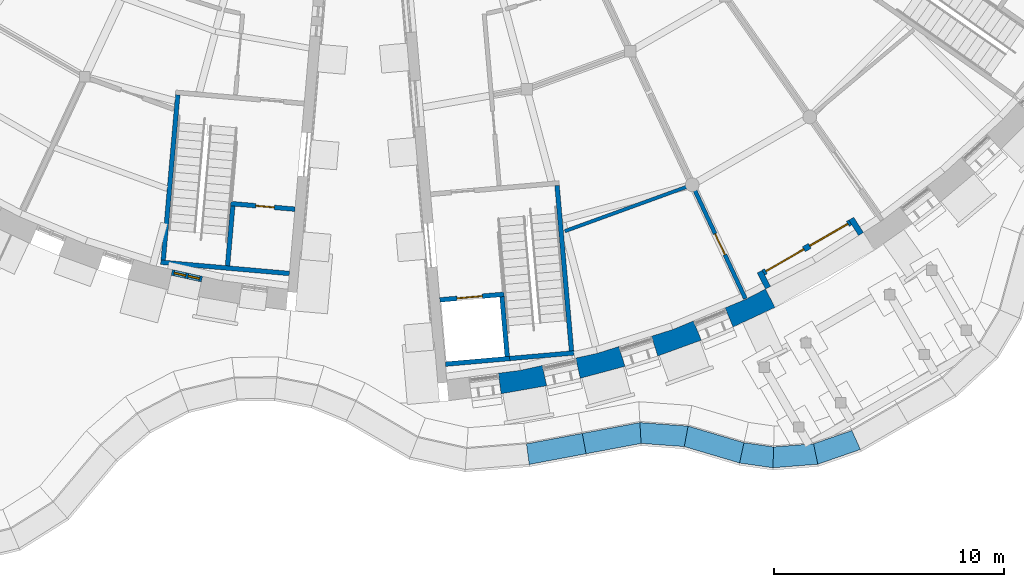
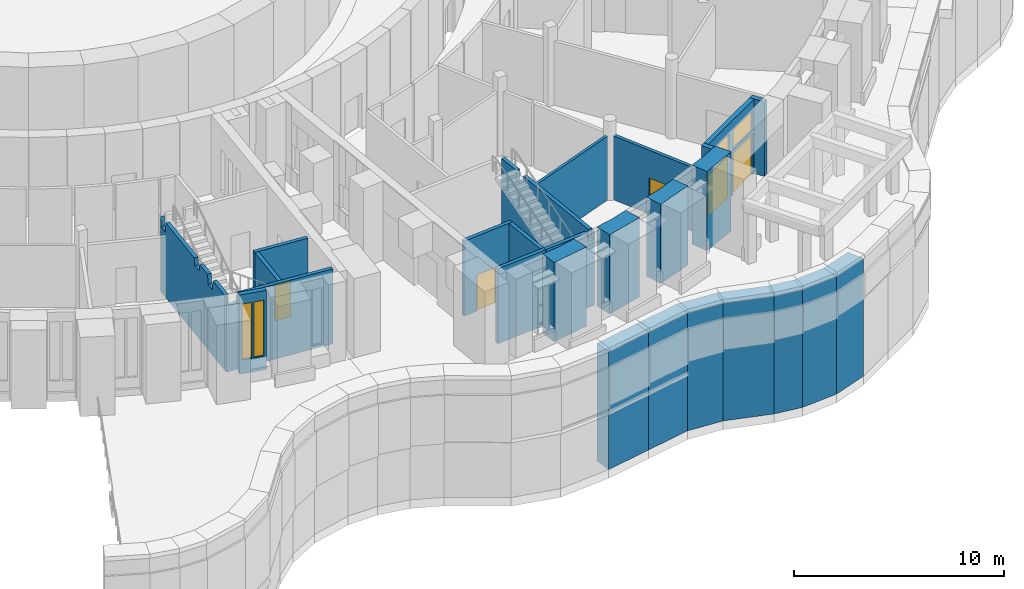
# One storey, part 47 of 85: 26 walls, 5 doors, 4 windows, 9 openings.
"""IFC4 building model written with IfcOpenShell, lengths in metres."""

from ifc_helpers import new_model, si_unit, direction, frame, frame_2d, origin, place, context, subcontext, project, spatial, polyline, rectangle, outline, extrude, material, layer, layer_set, type_object, element, fill, save


model = new_model("IFC4")

# Units and contexts
model_context = context("Model", 3, precision=1e-05, world=origin(), true_north=direction((0.0, 1.0)))
body_context = subcontext(model_context, "Body", "Model", "MODEL_VIEW")
ifc_project = project(units=[si_unit("LENGTHUNIT", "METRE"), si_unit("AREAUNIT", "SQUARE_METRE"), si_unit("VOLUMEUNIT", "CUBIC_METRE"), si_unit("PLANEANGLEUNIT", "RADIAN"), si_unit("MASSUNIT", "GRAM", prefix="KILO")], contexts=[model_context])

# Site, building, storey
site_placement = place(None, origin())
site = spatial("IfcSite", under=ifc_project, at=site_placement, CompositionType="ELEMENT")
building_placement = place(site_placement, origin())
building = spatial("IfcBuilding", under=site, at=building_placement, Name="Volute Hill Aquarium", CompositionType="ELEMENT")
storey_placement = place(building_placement, origin())
storey = spatial("IfcBuildingStorey", under=building, at=storey_placement, Name="L01", CompositionType="ELEMENT", Elevation=0.0)

# Walls
ifc_material_1 = material(Name="Gypsum board on steel studs", Category="steel")
ifc_layer_1 = layer(ifc_material_1, 0.14990234375)
ifc_layer_set_1 = layer_set([ifc_layer_1], Name="Acoustic partition 150")
wall_type_1 = type_object("IfcWallType", Name="Acoustic partition 150", PredefinedType="PARTITIONING", material=ifc_layer_set_1)
wall_1_placement = place(storey_placement, frame((14.045166015625, -30.68505859375, 0.0), z_axis=(0.0, 0.0, 1.0), x_axis=(-0.939689857066, -0.342027736489, 0.0)))
element("IfcWall", 1, at=wall_1_placement, inside=storey, type_object=wall_type_1, Name="pw/S3/L01/004", PredefinedType="PARTITIONING", context=body_context, shape_type="SweptSolid", body=[
    extrude(rectangle(XDim=5.646240234375, YDim=0.14990234375, at=frame_2d((2.8232421875, 0.0))), origin(), (0.0, 0.0, 1.0), 3.7099609375),
])
ifc_material_2 = material(Name="Concrete C30/37", Category="concrete")
ifc_layer_2 = layer(ifc_material_2, 0.199951171875)
ifc_layer_set_2 = layer_set([ifc_layer_2], Name="Core wall 200 REI 60")
wall_type_2 = type_object("IfcWallType", Name="Core wall 200 REI 60", PredefinedType="SHEAR", material=ifc_layer_set_2)
wall_2_placement = place(storey_placement, frame((-8.0576171875, -26.69921875, 0.0), z_axis=(0.0, 0.0, 1.0), x_axis=(-0.087178307383, -0.996192723684, 0.0)))
element("IfcWall", 2, at=wall_2_placement, inside=storey, type_object=wall_type_2, Name="wc/S2-B/L01/side", PredefinedType="SHEAR", context=body_context, shape_type="SweptSolid", body=[
    extrude(outline(polyline([(0.0, 0.0), (7.199951171875, 0.0), (7.199951171875, 4.35009765625), (5.893310546875, 4.35009765625), (5.84326171875, 3.7900390625), (5.34326171875, 3.7900390625), (5.293212890625, 4.35009765625), (4.397216796875, 4.35009765625), (4.34716796875, 3.93994140625), (3.84716796875, 3.93994140625), (3.797119140625, 4.35009765625), (0.577392578125, 4.35009765625), (0.52734375, 3.7900390625), (0.050048828125, 3.7900390625), (0.0, 4.35009765625), (0.0, 0.0)])), frame((0.0, 0.10009765625, 0.0), z_axis=(0.0, -1.0, 0.0), x_axis=(1.0, 0.0, 0.0)), (0.0, 0.0, 1.0), 0.199951171875),
])
wall_3_placement = place(storey_placement, frame((-3.21484375, -34.450927734375, 0.0), z_axis=(0.0, 0.0, 1.0), x_axis=(-0.996195137027, 0.087150725554, 0.0)))
element("IfcWall", 3, at=wall_3_placement, inside=storey, type_object=wall_type_2, Name="wc/S2-B/L01/out", PredefinedType="SHEAR", context=body_context, shape_type="SweptSolid", body=[
    extrude(outline(polyline([(0.0, 0.0), (5.599853515625, 0.0), (5.60009765625, 4.35009765625), (5.564697265625, 4.35009765625), (5.5146484375, 3.840087890625), (5.0146484375, 3.840087890625), (4.964599609375, 4.35009765625), (0.0, 4.35009765625), (0.0, 0.0)])), frame((0.0, 0.10009765625, 0.0), z_axis=(0.0, -1.0, 0.0), x_axis=(1.0, 0.0, 0.0)), (0.0, 0.0, 1.0), 0.199951171875),
])
wall_4_placement = place(storey_placement, frame((8.40185546875, -30.63427734375, 0.0), z_axis=(0.0, 0.0, 1.0), x_axis=(0.087144656612, -0.996195667941, 0.0)))
element("IfcWall", 4, at=wall_4_placement, inside=storey, type_object=wall_type_2, Name="wc/S3-A/L01/side", PredefinedType="SHEAR", context=body_context, shape_type="SweptSolid", body=[
    extrude(outline(polyline([(0.0, 0.0), (7.199951171875, 0.0), (7.199951171875, 4.35009765625), (1.7939453125, 4.35009765625), (1.743896484375, 3.780029296875), (1.243896484375, 3.780029296875), (1.194091796875, 4.35009765625), (0.0, 4.35009765625), (0.0, 0.0)])), frame((0.0, 0.10009765625, 0.0), z_axis=(0.0, -1.0, 0.0), x_axis=(1.0, 0.0, 0.0)), (0.0, 0.0, 1.0), 0.199951171875),
])
wall_5_placement = place(storey_placement, frame((6.348388671875, -38.141845703125, 0.0), z_axis=(0.0, 0.0, 1.0), x_axis=(0.996191351034, 0.087193991338, 0.0)))
element("IfcWall", 5, at=wall_5_placement, inside=storey, type_object=wall_type_2, Name="wc/S3-A/L01/out-b", PredefinedType="SHEAR", context=body_context, shape_type="SweptSolid", body=[
    extrude(outline(polyline([(0.0, 0.0), (2.800048828125, 0.0), (2.800048828125, 4.35009765625), (2.75, 3.830078125), (2.44482421875, 3.830078125), (2.39501953125, 4.35009765625), (0.0, 4.35009765625), (0.0, 0.0)])), frame((0.0, 0.10009765625, 0.0), z_axis=(0.0, -1.0, 0.0), x_axis=(1.0, 0.0, 0.0)), (0.0, 0.0, 1.0), 0.199951171875),
])

# Wall, opening, door
ifc_material_3 = material(Name="Gypsum board on steel studs", Category="steel")
ifc_layer_3 = layer(ifc_material_3, 0.175048828125)
ifc_layer_set_3 = layer_set([ifc_layer_3], Name="Corridor partition 175 EI 60")
wall_type_3 = type_object("IfcWallType", Name="Corridor partition 175 EI 60", PredefinedType="PARTITIONING", material=ifc_layer_set_3)
wall_6_placement = place(storey_placement, frame((16.5751953125, -35.54541015625, 0.0), z_axis=(0.0, 0.0, 1.0), x_axis=(-0.422659862642, 0.906288387056, 0.0)))
wall_6 = element("IfcWall", 6, at=wall_6_placement, inside=storey, type_object=wall_type_3, Name="pw/S3/L01/006", PredefinedType="PARTITIONING", context=body_context, shape_type="SweptSolid", body=[
    extrude(rectangle(XDim=5.213623046875, YDim=0.175048828125, at=frame_2d((2.60693359375, 0.0))), origin(), (0.0, 0.0, 1.0), 3.7099609375),
])
opening_1_placement = place(wall_6_placement, frame((2.106689453125, 0.0, 0.0)))
opening_1 = element("IfcOpeningElement", 7, at=opening_1_placement, cuts=wall_6, Name="Opening D3.01.06", PredefinedType="OPENING", context=body_context, shape_type="SweptSolid", body=[
    extrude(rectangle(XDim=1.0, YDim=2.10009765625, at=frame_2d((0.5, 1.050048828125))), frame((0.0, 0.097412109375, 0.0), z_axis=(0.0, -1.0, 0.0), x_axis=(1.0, 0.0, 0.0)), (0.0, 0.0, 1.0), 0.195068359375),
])
ifc_material_4 = material(Name="Timber, fire-rated", Category="wood")
door_type_1 = type_object("IfcDoorType", Name="Door 1000 x 2100 single EI1 30", OperationType="SINGLE_SWING_LEFT", PredefinedType="DOOR", material=ifc_material_4)
door_1_placement = place(opening_1_placement, origin())
door_1 = element("IfcDoor", 8, at=door_1_placement, inside=storey, type_object=door_type_1, Name="d/S3/L01/06", OperationType="SINGLE_SWING_RIGHT", OverallHeight=2.10009765625, OverallWidth=1.0, PredefinedType="DOOR", context=body_context, shape_type="SweptSolid", body=[
    extrude(rectangle(XDim=1.0, YDim=2.10009765625, at=frame_2d((0.5, 1.050048828125))), frame((0.0, 0.02490234375, 0.0), z_axis=(0.0, -1.0, 0.0), x_axis=(1.0, 0.0, 0.0)), (0.0, 0.0, 1.0), 0.050048828125),
])
fill(opening_1, door_1)

# Wall, openings, windows, doors
ifc_material_5 = material(Name="Concrete C30/37", Category="concrete")
ifc_layer_4 = layer(ifc_material_5, 0.25)
ifc_layer_set_4 = layer_set([ifc_layer_4], Name="Glazed entrance wall 250")
wall_type_4 = type_object("IfcWallType", Name="Glazed entrance wall 250", PredefinedType="NOTDEFINED", material=ifc_layer_set_4)
wall_7_placement = place(storey_placement, frame((21.12451171875, -32.23828125, 0.0), z_axis=(0.0, 0.0, 1.0), x_axis=(-0.866017369001, -0.500013916395, 0.0)))
wall_7 = element("IfcWall", 9, at=wall_7_placement, inside=storey, type_object=wall_type_4, Name="Glazed entrance wall OWN S3 L01", PredefinedType="NOTDEFINED", context=body_context, shape_type="SweptSolid", body=[
    extrude(rectangle(XDim=4.3505859375, YDim=0.25, at=frame_2d((2.17529296875, 0.0))), origin(), (0.0, 0.0, 1.0), 4.330078125),
])
opening_2_placement = place(wall_7_placement, frame((2.3251953125, 0.0, 0.0)))
opening_2 = element("IfcOpeningElement", 10, at=opening_2_placement, cuts=wall_7, Name="Opening ED03", PredefinedType="OPENING", context=body_context, shape_type="SweptSolid", body=[
    extrude(rectangle(XDim=1.89990234375, YDim=2.39990234375, at=frame_2d((0.949951171875, 1.199951171875))), frame((0.0, 0.135009765625, 0.0), z_axis=(0.0, -1.0, 0.0), x_axis=(1.0, 0.0, 0.0)), (0.0, 0.0, 1.0), 0.27001953125),
])
opening_3_placement = place(wall_7_placement, frame((2.3251953125, 0.0, 2.60009765625)))
opening_3 = element("IfcOpeningElement", 11, at=opening_3_placement, cuts=wall_7, Name="Opening W6", PredefinedType="OPENING", context=body_context, shape_type="SweptSolid", body=[
    extrude(rectangle(XDim=1.89990234375, YDim=1.1298828125, at=frame_2d((0.949951171875, 0.56494140625))), frame((0.0, 0.135009765625, 0.0), z_axis=(0.0, -1.0, 0.0), x_axis=(1.0, 0.0, 0.0)), (0.0, 0.0, 1.0), 0.27001953125),
])
opening_4_placement = place(wall_7_placement, frame((0.125244140625, 0.0, 0.0)))
opening_4 = element("IfcOpeningElement", 12, at=opening_4_placement, cuts=wall_7, Name="Opening ED04", PredefinedType="OPENING", context=body_context, shape_type="SweptSolid", body=[
    extrude(rectangle(XDim=1.89990234375, YDim=2.39990234375, at=frame_2d((0.949951171875, 1.199951171875))), frame((0.0, 0.135009765625, 0.0), z_axis=(0.0, -1.0, 0.0), x_axis=(1.0, 0.0, 0.0)), (0.0, 0.0, 1.0), 0.27001953125),
])
opening_5_placement = place(wall_7_placement, frame((0.125244140625, 0.0, 2.60009765625)))
opening_5 = element("IfcOpeningElement", 13, at=opening_5_placement, cuts=wall_7, Name="Opening W6", PredefinedType="OPENING", context=body_context, shape_type="SweptSolid", body=[
    extrude(rectangle(XDim=1.89990234375, YDim=1.1298828125, at=frame_2d((0.949951171875, 0.56494140625))), frame((0.0, 0.135009765625, 0.0), z_axis=(0.0, -1.0, 0.0), x_axis=(1.0, 0.0, 0.0)), (0.0, 0.0, 1.0), 0.27001953125),
])
ifc_material_6 = material(Name="Aluminium and glass", Category="aluminium")
window_type_1 = type_object("IfcWindowType", Name="Fanlight window 1900x1130", PartitioningType="SINGLE_PANEL", PredefinedType="WINDOW", material=ifc_material_6)
window_1_placement = place(opening_3_placement, origin())
window_1 = element("IfcWindow", 14, at=window_1_placement, inside=storey, type_object=window_type_1, Name="Fanlight S3 L01 1", OverallHeight=1.1298828125, OverallWidth=1.89990234375, PartitioningType="SINGLE_PANEL", PredefinedType="WINDOW", context=body_context, shape_type="SweptSolid", body=[
    extrude(rectangle(XDim=1.89990234375, YDim=1.1298828125, at=frame_2d((0.949951171875, 0.56494140625))), frame((0.0, 0.030029296875, 0.0), z_axis=(0.0, -1.0, 0.0), x_axis=(1.0, 0.0, 0.0)), (0.0, 0.0, 1.0), 0.06005859375),
])
fill(opening_3, window_1)
window_2_placement = place(opening_5_placement, origin())
window_2 = element("IfcWindow", 15, at=window_2_placement, inside=storey, type_object=window_type_1, Name="Fanlight S3 L01 2", OverallHeight=1.1298828125, OverallWidth=1.89990234375, PartitioningType="SINGLE_PANEL", PredefinedType="WINDOW", context=body_context, shape_type="SweptSolid", body=[
    extrude(rectangle(XDim=1.89990234375, YDim=1.1298828125, at=frame_2d((0.949951171875, 0.56494140625))), frame((0.0, 0.030029296875, 0.0), z_axis=(0.0, -1.0, 0.0), x_axis=(1.0, 0.0, 0.0)), (0.0, 0.0, 1.0), 0.06005859375),
])
fill(opening_5, window_2)
ifc_material_7 = material(Name="Aluminium and glass", Category="aluminium")
door_type_2 = type_object("IfcDoorType", Name="Glazed entrance double door 1900x2400", OperationType="DOUBLE_DOOR_SINGLE_SWING", PredefinedType="DOOR", material=ifc_material_7)
door_2_placement = place(opening_2_placement, origin())
door_2 = element("IfcDoor", 16, at=door_2_placement, inside=storey, type_object=door_type_2, Name="External door ED03 S3 L01", OperationType="DOUBLE_DOOR_SINGLE_SWING", OverallHeight=2.39990234375, OverallWidth=1.89990234375, PredefinedType="DOOR", context=body_context, shape_type="SweptSolid", body=[
    extrude(rectangle(XDim=1.89990234375, YDim=2.39990234375, at=frame_2d((0.949951171875, 1.199951171875))), frame((0.0, 0.02490234375, 0.0), z_axis=(0.0, -1.0, 0.0), x_axis=(1.0, 0.0, 0.0)), (0.0, 0.0, 1.0), 0.050048828125),
])
fill(opening_2, door_2)
door_3_placement = place(opening_4_placement, origin())
door_3 = element("IfcDoor", 17, at=door_3_placement, inside=storey, type_object=door_type_2, Name="External door ED04 S3 L01", OperationType="DOUBLE_DOOR_SINGLE_SWING", OverallHeight=2.39990234375, OverallWidth=1.89990234375, PredefinedType="DOOR", context=body_context, shape_type="SweptSolid", body=[
    extrude(rectangle(XDim=1.89990234375, YDim=2.39990234375, at=frame_2d((0.949951171875, 1.199951171875))), frame((0.0, 0.02490234375, 0.0), z_axis=(0.0, -1.0, 0.0), x_axis=(1.0, 0.0, 0.0)), (0.0, 0.0, 1.0), 0.050048828125),
])
fill(opening_4, door_3)

# Wall, openings, windows
ifc_material_8 = material(Name="Concrete C30/37", Category="concrete")
ifc_layer_5 = layer(ifc_material_8, 0.25)
ifc_layer_set_5 = layer_set([ifc_layer_5], Name="Niche back wall full height 250")
wall_type_5 = type_object("IfcWallType", Name="Niche back wall full height 250", PredefinedType="NOTDEFINED", material=ifc_layer_set_5)
wall_8_placement = place(storey_placement, frame((-7.00537109375, -34.697265625, 0.0), z_axis=(0.0, 0.0, 1.0), x_axis=(-0.976294025083, 0.216448554135, 0.0)))
wall_8 = element("IfcWall", 18, at=wall_8_placement, inside=storey, type_object=wall_type_5, Name="Niche back wall OWN S2 L01 9", PredefinedType="NOTDEFINED", context=body_context, shape_type="SweptSolid", body=[
    extrude(rectangle(XDim=1.341064453125, YDim=0.25, at=frame_2d((0.67041015625, 0.0))), origin(), (0.0, 0.0, 1.0), 4.60009765625),
])
opening_6_placement = place(wall_8_placement, frame((0.72900390625, 0.0, 0.800048828125)))
opening_6 = element("IfcOpeningElement", 19, at=opening_6_placement, cuts=wall_8, Name="Opening W5", PredefinedType="OPENING", context=body_context, shape_type="SweptSolid", body=[
    extrude(rectangle(XDim=0.5, YDim=3.25, at=frame_2d((0.25, 1.625))), frame((0.0, 0.135009765625, 0.0), z_axis=(0.0, -1.0, 0.0), x_axis=(1.0, 0.0, 0.0)), (0.0, 0.0, 1.0), 0.27001953125),
])
opening_7_placement = place(wall_8_placement, frame((0.112060546875, 0.0, 0.800048828125)))
opening_7 = element("IfcOpeningElement", 20, at=opening_7_placement, cuts=wall_8, Name="Opening W5", PredefinedType="OPENING", context=body_context, shape_type="SweptSolid", body=[
    extrude(rectangle(XDim=0.5, YDim=3.25, at=frame_2d((0.25, 1.625))), frame((0.0, 0.135009765625, 0.0), z_axis=(0.0, -1.0, 0.0), x_axis=(1.0, 0.0, 0.0)), (0.0, 0.0, 1.0), 0.27001953125),
])
ifc_material_9 = material(Name="Aluminium and glass", Category="aluminium")
window_type_2 = type_object("IfcWindowType", Name="Slit window 500x3250", PartitioningType="SINGLE_PANEL", PredefinedType="WINDOW", material=ifc_material_9)
window_3_placement = place(opening_6_placement, origin())
window_3 = element("IfcWindow", 21, at=window_3_placement, inside=storey, type_object=window_type_2, Name="Slit window S2 L01 9.1.1", OverallHeight=3.25, OverallWidth=0.5, PartitioningType="SINGLE_PANEL", PredefinedType="WINDOW", context=body_context, shape_type="SweptSolid", body=[
    extrude(rectangle(XDim=0.5, YDim=3.25, at=frame_2d((0.25, 1.625))), frame((0.0, 0.030029296875, 0.0), z_axis=(0.0, -1.0, 0.0), x_axis=(1.0, 0.0, 0.0)), (0.0, 0.0, 1.0), 0.06005859375),
])
fill(opening_6, window_3)
window_4_placement = place(opening_7_placement, origin())
window_4 = element("IfcWindow", 22, at=window_4_placement, inside=storey, type_object=window_type_2, Name="Slit window S2 L01 9.1.2", OverallHeight=3.25, OverallWidth=0.5, PartitioningType="SINGLE_PANEL", PredefinedType="WINDOW", context=body_context, shape_type="SweptSolid", body=[
    extrude(rectangle(XDim=0.5, YDim=3.25, at=frame_2d((0.25, 1.625))), frame((0.0, 0.030029296875, 0.0), z_axis=(0.0, -1.0, 0.0), x_axis=(1.0, 0.0, 0.0)), (0.0, 0.0, 1.0), 0.06005859375),
])
fill(opening_7, window_4)

# Walls
ifc_material_10 = material(Name="Precast concrete C40/50", Category="concrete")
ifc_layer_6 = layer(ifc_material_10, 0.89990234375)
ifc_layer_set_6 = layer_set([ifc_layer_6], Name="Outer pier precast concrete C40/50 900")
wall_type_6 = type_object("IfcWallType", Name="Outer pier precast concrete C40/50 900", PredefinedType="NOTDEFINED", material=ifc_layer_set_6)
wall_9_placement = place(storey_placement, origin())
element("IfcWall", 23, at=wall_9_placement, inside=storey, type_object=wall_type_6, Name="Outer pier OWP S3 L01 2", PredefinedType="NOTDEFINED", context=body_context, shape_type="SweptSolid", body=[
    extrude(outline(polyline([(5.8564453125, -38.779541015625), (5.973876953125, -39.671875), (7.954833984375, -39.322509765625), (7.760009765625, -38.44384765625), (6.815673828125, -38.6533203125), (5.8564453125, -38.779541015625)])), origin(), (0.0, 0.0, 1.0), 4.60009765625),
])
wall_10_placement = place(storey_placement, origin())
element("IfcWall", 24, at=wall_10_placement, inside=storey, type_object=wall_type_6, Name="Outer pier OWP S3 L01 3", PredefinedType="NOTDEFINED", context=body_context, shape_type="SweptSolid", body=[
    extrude(outline(polyline([(9.2138671875, -38.12158203125), (9.40869140625, -39.000244140625), (11.351806640625, -38.479736328125), (11.0810546875, -37.621337890625), (10.158447265625, -37.912109375), (9.2138671875, -38.12158203125)])), origin(), (0.0, 0.0, 1.0), 4.60009765625),
])
wall_11_placement = place(storey_placement, origin())
element("IfcWall", 25, at=wall_11_placement, inside=storey, type_object=wall_type_6, Name="Outer pier OWP S3 L01 4", PredefinedType="NOTDEFINED", context=body_context, shape_type="SweptSolid", body=[
    extrude(outline(polyline([(12.50146484375, -37.173583984375), (12.77197265625, -38.03173828125), (14.662353515625, -37.34375), (14.31787109375, -36.51220703125), (13.424072265625, -36.882568359375), (12.50146484375, -37.173583984375)])), origin(), (0.0, 0.0, 1.0), 4.60009765625),
])
wall_12_placement = place(storey_placement, origin())
element("IfcWall", 26, at=wall_12_placement, inside=storey, type_object=wall_type_6, Name="Outer pier OWP S3 L01 5", PredefinedType="NOTDEFINED", context=body_context, shape_type="SweptSolid", body=[
    extrude(outline(polyline([(15.69384765625, -35.9423828125), (16.0380859375, -36.77392578125), (17.861328125, -35.923828125), (17.445556640625, -35.12548828125), (16.587646484375, -35.572265625), (15.69384765625, -35.9423828125)])), origin(), (0.0, 0.0, 1.0), 4.60009765625),
])
ifc_material_11 = material(Name="Concrete C30/37", Category="concrete")
ifc_layer_7 = layer(ifc_material_11, 0.25)
ifc_layer_set_7 = layer_set([ifc_layer_7], Name="Portal cheek wall 250")
wall_type_7 = type_object("IfcWallType", Name="Portal cheek wall 250", PredefinedType="NOTDEFINED", material=ifc_layer_set_7)
wall_13_placement = place(storey_placement, origin())
element("IfcWall", 27, at=wall_13_placement, inside=storey, type_object=wall_type_7, Name="Portal cheek wall OWN S3 L01 A", PredefinedType="NOTDEFINED", context=body_context, shape_type="SweptSolid", body=[
    extrude(outline(polyline([(17.445556640625, -35.12548828125), (17.66748046875, -35.010009765625), (17.30419921875, -34.312255859375), (17.08251953125, -34.427734375), (17.445556640625, -35.12548828125)])), origin(), (0.0, 0.0, 1.0), 4.330078125),
])
wall_14_placement = place(storey_placement, origin())
element("IfcWall", 28, at=wall_14_placement, inside=storey, type_object=wall_type_7, Name="Portal cheek wall OWN S3 L01 B", PredefinedType="NOTDEFINED", context=body_context, shape_type="SweptSolid", body=[
    extrude(outline(polyline([(21.69677734375, -32.671142578125), (21.27392578125, -32.0078125), (21.063232421875, -32.14208984375), (21.48583984375, -32.805419921875), (21.69677734375, -32.671142578125)])), origin(), (0.0, 0.0, 1.0), 4.330078125),
])

# Wall, opening, door
ifc_material_12 = material(Name="Masonry blockwork", Category="masonry")
ifc_layer_8 = layer(ifc_material_12, 0.199951171875)
ifc_layer_set_8 = layer_set([ifc_layer_8], Name="Riser wall 200 EI 60")
wall_type_8 = type_object("IfcWallType", Name="Riser wall 200 EI 60", PredefinedType="SOLIDWALL", material=ifc_layer_set_8)
wall_15_placement = place(storey_placement, frame((-2.970703125, -31.66162109375, 0.0), z_axis=(0.0, 0.0, 1.0), x_axis=(-0.996191351034, 0.087193991338, 0.0)))
wall_15 = element("IfcWall", 29, at=wall_15_placement, inside=storey, type_object=wall_type_8, Name="wc/S2-B/L01/front", PredefinedType="SOLIDWALL", context=body_context, shape_type="SweptSolid", body=[
    extrude(rectangle(XDim=2.800048828125, YDim=0.199951171875, at=frame_2d((1.39990234375, 0.0))), origin(), (0.0, 0.0, 1.0), 4.35009765625),
])
opening_8_placement = place(wall_15_placement, frame((0.89990234375, 0.0, 0.0)))
opening_8 = element("IfcOpeningElement", 30, at=opening_8_placement, cuts=wall_15, Name="Opening D2.01.BR", PredefinedType="OPENING", context=body_context, shape_type="SweptSolid", body=[
    extrude(rectangle(XDim=0.800048828125, YDim=2.10009765625, at=frame_2d((0.39990234375, 1.050048828125))), frame((0.0, 0.10986328125, 0.0), z_axis=(0.0, -1.0, 0.0), x_axis=(1.0, 0.0, 0.0)), (0.0, 0.0, 1.0), 0.219970703125),
])
ifc_material_13 = material(Name="Steel, fire-rated", Category="steel")
door_type_3 = type_object("IfcDoorType", Name="Door 800 x 2100 riser EI1 30", OperationType="SINGLE_SWING_LEFT", PredefinedType="DOOR", material=ifc_material_13)
door_4_placement = place(opening_8_placement, origin())
door_4 = element("IfcDoor", 31, at=door_4_placement, inside=storey, type_object=door_type_3, Name="d/S2-B/L01/rs", OperationType="SINGLE_SWING_LEFT", OverallHeight=2.10009765625, OverallWidth=0.800048828125, PredefinedType="DOOR", context=body_context, shape_type="SweptSolid", body=[
    extrude(rectangle(XDim=0.800048828125, YDim=2.10009765625, at=frame_2d((0.39990234375, 1.050048828125))), frame((0.0, 0.02490234375, 0.0), z_axis=(0.0, -1.0, 0.0), x_axis=(1.0, 0.0, 0.0)), (0.0, 0.0, 1.0), 0.050048828125),
])
fill(opening_8, door_4)

# Walls
wall_16_placement = place(storey_placement, frame((-5.669189453125, -31.52587890625, 0.0), z_axis=(0.0, 0.0, 1.0), x_axis=(-0.087140158824, -0.996196061386, 0.0)))
element("IfcWall", 32, at=wall_16_placement, inside=storey, type_object=wall_type_8, Name="wc/S2-B/L01/shaft-side", PredefinedType="SOLIDWALL", context=body_context, shape_type="SweptSolid", body=[
    extrude(rectangle(XDim=2.60009765625, YDim=0.199951171875, at=frame_2d((1.300048828125, 0.0))), origin(), (0.0, 0.0, 1.0), 4.35009765625),
])
ifc_material_14 = material(Name="Concrete C30/37", Category="concrete")
ifc_layer_9 = layer(ifc_material_14, 0.199951171875)
ifc_layer_set_9 = layer_set([ifc_layer_9], Name="Shaft wall 200 EI 60")
wall_type_9 = type_object("IfcWallType", Name="Shaft wall 200 EI 60", PredefinedType="SOLIDWALL", material=ifc_layer_set_9)
wall_17_placement = place(storey_placement, frame((3.55908203125, -38.385986328125, 0.0), z_axis=(0.0, 0.0, 1.0), x_axis=(0.996191351034, 0.087193991338, 0.0)))
element("IfcWall", 33, at=wall_17_placement, inside=storey, type_object=wall_type_9, Name="wc/S3-A/L01/out-a", PredefinedType="SOLIDWALL", context=body_context, shape_type="SweptSolid", body=[
    extrude(rectangle(XDim=2.800048828125, YDim=0.199951171875, at=frame_2d((1.39990234375, 0.0))), origin(), (0.0, 0.0, 1.0), 4.35009765625),
])

# Wall, opening, door
wall_18_placement = place(storey_placement, frame((3.315185546875, -35.596435546875, 0.0), z_axis=(0.0, 0.0, 1.0), x_axis=(0.996198921169, 0.087107459278, 0.0)))
wall_18 = element("IfcWall", 34, at=wall_18_placement, inside=storey, type_object=wall_type_9, Name="wc/S3-A/L01/front", PredefinedType="SOLIDWALL", context=body_context, shape_type="SweptSolid", body=[
    extrude(rectangle(XDim=2.800048828125, YDim=0.199951171875, at=frame_2d((1.39990234375, 0.0))), origin(), (0.0, 0.0, 1.0), 4.35009765625),
])
opening_9_placement = place(wall_18_placement, frame((0.75, 0.0, 0.0)))
opening_9 = element("IfcOpeningElement", 35, at=opening_9_placement, cuts=wall_18, Name="Opening LD3.01.A", PredefinedType="OPENING", context=body_context, shape_type="SweptSolid", body=[
    extrude(rectangle(XDim=1.10009765625, YDim=2.10009765625, at=frame_2d((0.550048828125, 1.050048828125))), frame((0.0, 0.10986328125, 0.0), z_axis=(0.0, -1.0, 0.0), x_axis=(1.0, 0.0, 0.0)), (0.0, 0.0, 1.0), 0.219970703125),
])
ifc_material_15 = material(Name="Stainless steel", Category="steel")
door_type_4 = type_object("IfcDoorType", Name="Lift landing door 1100 x 2100", OperationType="SLIDING_TO_LEFT", PredefinedType="DOOR", material=ifc_material_15)
door_5_placement = place(opening_9_placement, origin())
door_5 = element("IfcDoor", 36, at=door_5_placement, inside=storey, type_object=door_type_4, Name="d/S3-A/L01/ld", OperationType="SLIDING_TO_LEFT", OverallHeight=2.10009765625, OverallWidth=1.10009765625, PredefinedType="DOOR", context=body_context, shape_type="SweptSolid", body=[
    extrude(rectangle(XDim=1.10009765625, YDim=2.10009765625, at=frame_2d((0.550048828125, 1.050048828125))), frame((0.0, 0.02490234375, 0.0), z_axis=(0.0, -1.0, 0.0), x_axis=(1.0, 0.0, 0.0)), (0.0, 0.0, 1.0), 0.050048828125),
])
fill(opening_9, door_5)

# Walls
wall_19_placement = place(storey_placement, frame((6.013427734375, -35.460693359375, 0.0), z_axis=(0.0, 0.0, 1.0), x_axis=(0.087140158824, -0.996196061386, 0.0)))
element("IfcWall", 37, at=wall_19_placement, inside=storey, type_object=wall_type_9, Name="wc/S3-A/L01/shaft-side", PredefinedType="SOLIDWALL", context=body_context, shape_type="SweptSolid", body=[
    extrude(rectangle(XDim=2.60009765625, YDim=0.199951171875, at=frame_2d((1.300048828125, 0.0))), origin(), (0.0, 0.0, 1.0), 4.35009765625),
])
ifc_material_16 = material(Name="Concrete C30/37", Category="concrete")
ifc_layer_10 = layer(ifc_material_16, 0.89990234375)
ifc_layer_set_10 = layer_set([ifc_layer_10], Name="Site edge retaining wall C30/37 900")
wall_type_10 = type_object("IfcWallType", Name="Site edge retaining wall C30/37 900", PredefinedType="SOLIDWALL", material=ifc_layer_set_10)
wall_20_placement = place(storey_placement, frame((0.0, 0.0, -6.0)))
element("IfcWall", 38, at=wall_20_placement, inside=storey, type_object=wall_type_10, Name="rw/E28UP/L01/0", PredefinedType="SOLIDWALL", context=body_context, shape_type="SweptSolid", body=[
    extrude(outline(polyline([(7.1943359375, -42.73779296875), (9.662109375, -42.274658203125), (9.49609375, -41.39013671875), (7.075439453125, -41.844482421875), (7.075439453125, -41.844482421875), (7.1943359375, -42.73779296875)])), origin(), (0.0, 0.0, 1.0), 6.85009765625),
])
wall_21_placement = place(storey_placement, frame((0.0, 0.0, -6.0)))
element("IfcWall", 39, at=wall_21_placement, inside=storey, type_object=wall_type_10, Name="rw/E28UP/L01/1", PredefinedType="SOLIDWALL", context=body_context, shape_type="SweptSolid", body=[
    extrude(outline(polyline([(9.662109375, -42.274658203125), (12.048828125, -41.826416015625), (11.998046875, -40.92041015625), (9.49609375, -41.39013671875), (9.662109375, -42.274658203125)])), origin(), (0.0, 0.0, 1.0), 6.85009765625),
])
wall_22_placement = place(storey_placement, frame((0.0, 0.0, -6.0)))
element("IfcWall", 40, at=wall_22_placement, inside=storey, type_object=wall_type_10, Name="rw/E29UP/L01/0", PredefinedType="SOLIDWALL", context=body_context, shape_type="SweptSolid", body=[
    extrude(outline(polyline([(13.924072265625, -41.964111328125), (13.924072265625, -41.964111328125), (14.0869140625, -41.07373046875), (14.0869140625, -41.07373046875), (11.998046875, -40.92041015625), (11.998046875, -40.92041015625), (12.048828125, -41.826416015625), (12.048828125, -41.826416015625), (13.924072265625, -41.964111328125)])), origin(), (0.0, 0.0, 1.0), 6.85009765625),
])
wall_23_placement = place(storey_placement, frame((0.0, 0.0, -6.0)))
element("IfcWall", 41, at=wall_23_placement, inside=storey, type_object=wall_type_10, Name="rw/E30UP/L01/0", PredefinedType="SOLIDWALL", context=body_context, shape_type="SweptSolid", body=[
    extrude(outline(polyline([(16.321044921875, -42.67529296875), (16.321044921875, -42.67529296875), (16.513916015625, -41.793701171875), (14.0869140625, -41.07373046875), (13.924072265625, -41.964111328125), (16.321044921875, -42.67529296875)])), origin(), (0.0, 0.0, 1.0), 6.85009765625),
])
wall_24_placement = place(storey_placement, frame((0.0, 0.0, -6.0)))
element("IfcWall", 42, at=wall_24_placement, inside=storey, type_object=wall_type_10, Name="rw/E31UP/L01/0", PredefinedType="SOLIDWALL", context=body_context, shape_type="SweptSolid", body=[
    extrude(outline(polyline([(16.321044921875, -42.67529296875), (17.771240234375, -42.883544921875), (17.800048828125, -41.978515625), (16.513916015625, -41.793701171875), (16.513916015625, -41.793701171875), (16.321044921875, -42.67529296875)])), origin(), (0.0, 0.0, 1.0), 6.85009765625),
])
wall_25_placement = place(storey_placement, frame((0.0, 0.0, -6.0)))
element("IfcWall", 43, at=wall_25_placement, inside=storey, type_object=wall_type_10, Name="rw/E32UP/L01/0", PredefinedType="SOLIDWALL", context=body_context, shape_type="SweptSolid", body=[
    extrude(outline(polyline([(19.718505859375, -42.728759765625), (19.718505859375, -42.728759765625), (19.53271484375, -41.840576171875), (19.53271484375, -41.840576171875), (17.800048828125, -41.978515625), (17.771240234375, -42.883544921875), (19.718505859375, -42.728759765625)])), origin(), (0.0, 0.0, 1.0), 6.85009765625),
])
wall_26_placement = place(storey_placement, frame((0.0, 0.0, -6.0)))
element("IfcWall", 44, at=wall_26_placement, inside=storey, type_object=wall_type_10, Name="rw/E33UP/L01/0", PredefinedType="SOLIDWALL", context=body_context, shape_type="SweptSolid", body=[
    extrude(outline(polyline([(19.718505859375, -42.728759765625), (21.56884765625, -42.088134765625), (21.193359375, -41.265869140625), (19.53271484375, -41.840576171875), (19.718505859375, -42.728759765625)])), origin(), (0.0, 0.0, 1.0), 6.85009765625),
])

save(model, "model.ifc")
